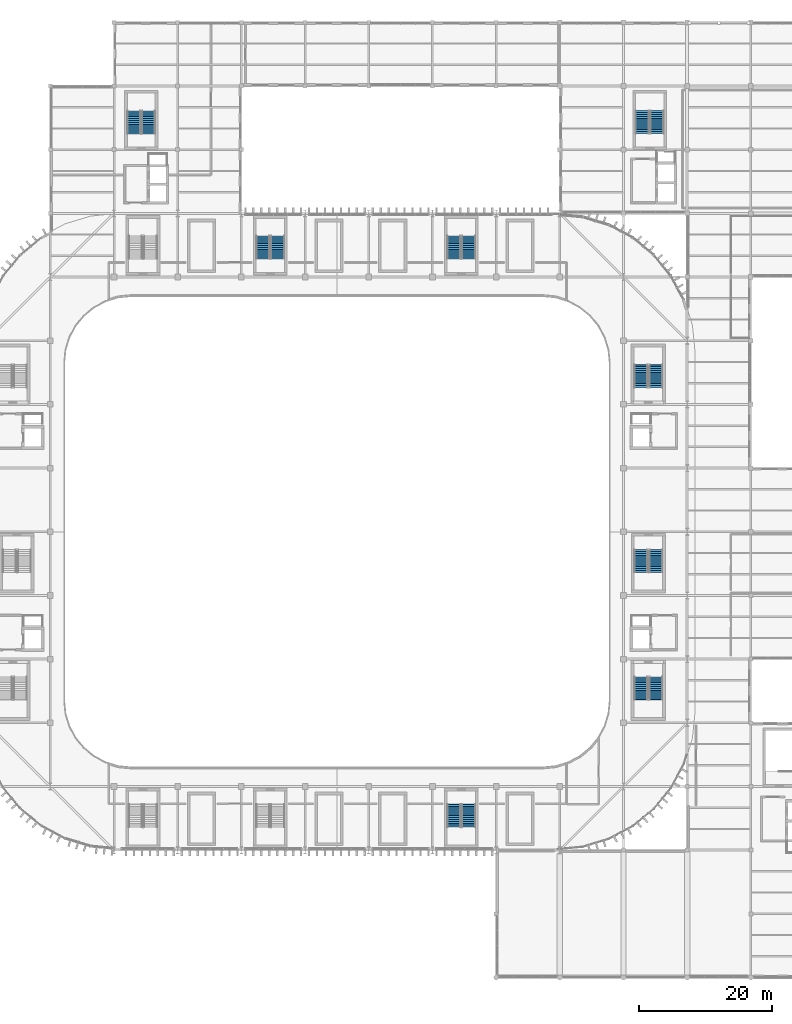
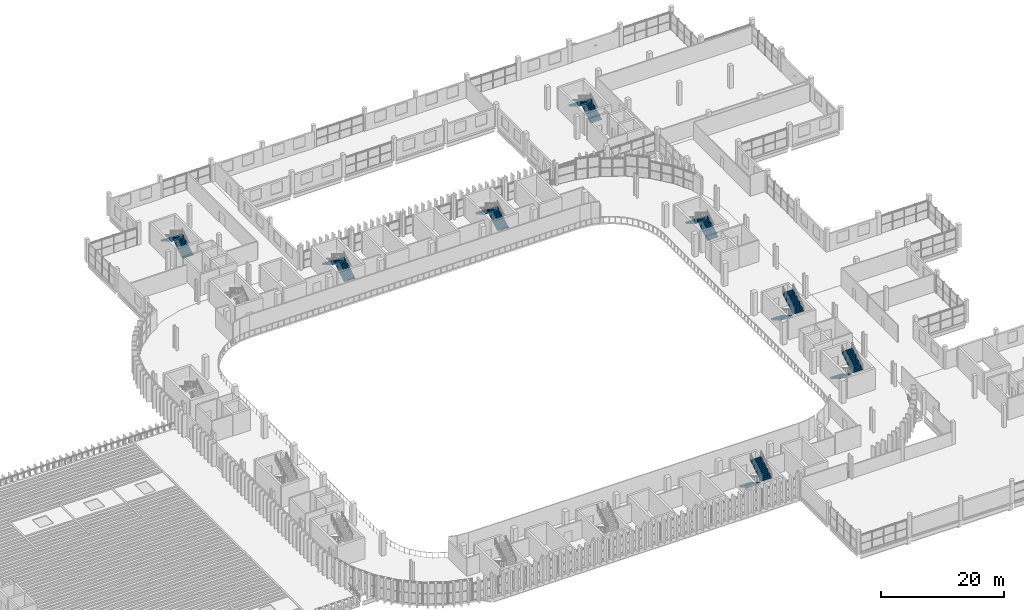
# One storey, part 66 of 92: 16 stair flights, 8 elements without a shape of their own.
"""IFC4 building model written with IfcOpenShell, lengths in metres."""

from ifc_helpers import new_model, si_unit, direction, frame, origin, place, context, subcontext, project, spatial, polyline, outline, extrude, material, type_object, element, aggregate, save


model = new_model("IFC4")

# Units and contexts
model_context = context("Model", 3, precision=1e-05, world=origin(), true_north=direction((0.0, 1.0)))
body_context = subcontext(model_context, "Body", "Model", "MODEL_VIEW")
ifc_project = project(units=[si_unit("LENGTHUNIT", "METRE"), si_unit("AREAUNIT", "SQUARE_METRE"), si_unit("VOLUMEUNIT", "CUBIC_METRE"), si_unit("PLANEANGLEUNIT", "RADIAN"), si_unit("MASSUNIT", "GRAM", prefix="KILO")], contexts=[model_context])

# Site, building, storey
site_placement = place(None, origin())
site = spatial("IfcSite", under=ifc_project, at=site_placement, CompositionType="ELEMENT")
building_placement = place(site_placement, origin())
building = spatial("IfcBuilding", under=site, at=building_placement, Name="Caelomonte Colonnade Arena", CompositionType="ELEMENT")
storey_placement = place(building_placement, frame((0.0, 0.0, 9.60009765625)))
storey = spatial("IfcBuildingStorey", under=building, at=storey_placement, Name="L02", CompositionType="ELEMENT", Elevation=9.60009765625)

# Stair, stair flights
ifc_material = material(Name="Concrete C40/50", Category="concrete")
stair_type_1 = type_object("IfcStairType", Name="INT-ST-CORE45", PredefinedType="HALF_TURN_STAIR", material=ifc_material)
stair_1_placement = place(storey_placement, origin())
stair_1 = element("IfcStair", 1, at=stair_1_placement, inside=storey, type_object=stair_type_1, Name="L02 Protected exit stair ST-10", PredefinedType="HALF_TURN_STAIR")
stair_flight_type_1 = type_object("IfcStairFlightType", Name="INT-SF-CORE45", PredefinedType="STRAIGHT", material=ifc_material)
stair_flight_1_placement = place(storey_placement, frame((156.22509765625, 64.5, 0.0), z_axis=(0.0, 0.0, 1.0), x_axis=(0.0, -1.0, 0.0)))
stair_flight_1 = element("IfcStairFlight", 2, at=stair_flight_1_placement, type_object=stair_flight_type_1, Name="ST-10 flight 1", NumberOfRisers=13, NumberOfTreads=12, PredefinedType="STRAIGHT", RiserHeight=0.173076923, TreadLength=0.285, context=body_context, shape_type="SweptSolid", body=[
    extrude(outline(polyline([(-0.02490234375, 0.0), (-0.02490234375, 0.103759765625), (0.0, 0.103759765625), (0.0, 0.173095703125), (0.284912109375, 0.173095703125), (0.284912109375, 0.34619140625), (0.570068359375, 0.34619140625), (0.570068359375, 0.519287109375), (0.85498046875, 0.519287109375), (0.85498046875, 0.6923828125), (1.139892578125, 0.6923828125), (1.139892578125, 0.865478515625), (1.425048828125, 0.865478515625), (1.425048828125, 1.03857421875), (1.7099609375, 1.03857421875), (1.7099609375, 1.21142578125), (1.9951171875, 1.21142578125), (1.9951171875, 1.384521484375), (2.280029296875, 1.384521484375), (2.280029296875, 1.5576171875), (2.56494140625, 1.5576171875), (2.56494140625, 1.730712890625), (2.85009765625, 1.730712890625), (2.85009765625, 1.90380859375), (3.135009765625, 1.90380859375), (3.135009765625, 2.076904296875), (3.419921875, 2.076904296875), (3.419921875, 2.25), (3.445068359375, 2.25), (3.445068359375, 1.901611328125), (0.288818359375, 0.0), (-0.02490234375, 0.0)])), frame((0.0, 1.02490234375, 0.0), z_axis=(0.0, -1.0, 0.0), x_axis=(1.0, 0.0, 0.0)), (0.0, 0.0, 1.0), 2.050048828125),
])
stair_flight_2_placement = place(storey_placement, frame((158.47509765625, 61.080078125, 2.25), z_axis=(0.0, 0.0, 1.0), x_axis=(0.0, 1.0, 0.0)))
stair_flight_2 = element("IfcStairFlight", 3, at=stair_flight_2_placement, type_object=stair_flight_type_1, Name="ST-10 flight 2", NumberOfRisers=13, NumberOfTreads=12, PredefinedType="STRAIGHT", RiserHeight=0.173076923, TreadLength=0.285, context=body_context, shape_type="SweptSolid", body=[
    extrude(outline(polyline([(-0.02490234375, 0.0), (-0.02490234375, 0.103759765625), (0.0, 0.103759765625), (0.0, 0.173095703125), (0.284912109375, 0.173095703125), (0.284912109375, 0.34619140625), (0.570068359375, 0.34619140625), (0.570068359375, 0.519287109375), (0.85498046875, 0.519287109375), (0.85498046875, 0.6923828125), (1.139892578125, 0.6923828125), (1.139892578125, 0.865478515625), (1.425048828125, 0.865478515625), (1.425048828125, 1.03857421875), (1.7099609375, 1.03857421875), (1.7099609375, 1.21142578125), (1.9951171875, 1.21142578125), (1.9951171875, 1.384521484375), (2.280029296875, 1.384521484375), (2.280029296875, 1.5576171875), (2.56494140625, 1.5576171875), (2.56494140625, 1.730712890625), (2.85009765625, 1.730712890625), (2.85009765625, 1.90380859375), (3.135009765625, 1.90380859375), (3.135009765625, 2.076904296875), (3.419921875, 2.076904296875), (3.419921875, 2.25), (3.445068359375, 2.25), (3.445068359375, 1.901611328125), (0.288818359375, 0.0), (-0.02490234375, 0.0)])), frame((0.0, 1.02490234375, 0.0), z_axis=(0.0, -1.0, 0.0), x_axis=(1.0, 0.0, 0.0)), (0.0, 0.0, 1.0), 2.050048828125),
])
aggregate(stair_1, [stair_flight_1, stair_flight_2])

stair_2_placement = place(storey_placement, origin())
stair_2 = element("IfcStair", 4, at=stair_2_placement, inside=storey, type_object=stair_type_1, Name="L02 Protected exit stair ST-13", PredefinedType="HALF_TURN_STAIR")
stair_flight_3_placement = place(storey_placement, frame((128.02490234375, 26.10009765625, 0.0), z_axis=(0.0, 0.0, 1.0), x_axis=(0.0, -1.0, 0.0)))
stair_flight_3 = element("IfcStairFlight", 5, at=stair_flight_3_placement, type_object=stair_flight_type_1, Name="ST-13 flight 1", NumberOfRisers=13, NumberOfTreads=12, PredefinedType="STRAIGHT", RiserHeight=0.173076923, TreadLength=0.285, context=body_context, shape_type="SweptSolid", body=[
    extrude(outline(polyline([(-0.02490234375, 0.0), (-0.02490234375, 0.103759765625), (0.0, 0.103759765625), (0.0, 0.173095703125), (0.284912109375, 0.173095703125), (0.284912109375, 0.34619140625), (0.570068359375, 0.34619140625), (0.570068359375, 0.519287109375), (0.85498046875, 0.519287109375), (0.85498046875, 0.6923828125), (1.139892578125, 0.6923828125), (1.139892578125, 0.865478515625), (1.425048828125, 0.865478515625), (1.425048828125, 1.03857421875), (1.7099609375, 1.03857421875), (1.7099609375, 1.21142578125), (1.9951171875, 1.21142578125), (1.9951171875, 1.384521484375), (2.280029296875, 1.384521484375), (2.280029296875, 1.5576171875), (2.56494140625, 1.5576171875), (2.56494140625, 1.730712890625), (2.85009765625, 1.730712890625), (2.85009765625, 1.90380859375), (3.135009765625, 1.90380859375), (3.135009765625, 2.076904296875), (3.419921875, 2.076904296875), (3.419921875, 2.25), (3.445068359375, 2.25), (3.445068359375, 1.901611328125), (0.288818359375, 0.0), (-0.02490234375, 0.0)])), frame((0.0, 1.02490234375, 0.0), z_axis=(0.0, -1.0, 0.0), x_axis=(1.0, 0.0, 0.0)), (0.0, 0.0, 1.0), 2.050048828125),
])
stair_flight_4_placement = place(storey_placement, frame((130.27490234375, 22.679931640625, 2.25), z_axis=(0.0, 0.0, 1.0), x_axis=(0.0, 1.0, 0.0)))
stair_flight_4 = element("IfcStairFlight", 6, at=stair_flight_4_placement, type_object=stair_flight_type_1, Name="ST-13 flight 2", NumberOfRisers=13, NumberOfTreads=12, PredefinedType="STRAIGHT", RiserHeight=0.173076923, TreadLength=0.285, context=body_context, shape_type="SweptSolid", body=[
    extrude(outline(polyline([(-0.02490234375, 0.0), (-0.02490234375, 0.103759765625), (0.0, 0.103759765625), (0.0, 0.173095703125), (0.284912109375, 0.173095703125), (0.284912109375, 0.34619140625), (0.570068359375, 0.34619140625), (0.570068359375, 0.519287109375), (0.85498046875, 0.519287109375), (0.85498046875, 0.6923828125), (1.139892578125, 0.6923828125), (1.139892578125, 0.865478515625), (1.425048828125, 0.865478515625), (1.425048828125, 1.03857421875), (1.7099609375, 1.03857421875), (1.7099609375, 1.21142578125), (1.9951171875, 1.21142578125), (1.9951171875, 1.384521484375), (2.280029296875, 1.384521484375), (2.280029296875, 1.5576171875), (2.56494140625, 1.5576171875), (2.56494140625, 1.730712890625), (2.85009765625, 1.730712890625), (2.85009765625, 1.90380859375), (3.135009765625, 1.90380859375), (3.135009765625, 2.076904296875), (3.419921875, 2.076904296875), (3.419921875, 2.25), (3.445068359375, 2.25), (3.445068359375, 1.901611328125), (0.288818359375, 0.0), (-0.02490234375, 0.0)])), frame((0.0, 1.02490234375, 0.0), z_axis=(0.0, -1.0, 0.0), x_axis=(1.0, 0.0, 0.0)), (0.0, 0.0, 1.0), 2.050048828125),
])
aggregate(stair_2, [stair_flight_3, stair_flight_4])

stair_3_placement = place(storey_placement, origin())
stair_3 = element("IfcStair", 7, at=stair_3_placement, inside=storey, type_object=stair_type_1, Name="L02 Protected exit stair ST-15", PredefinedType="HALF_TURN_STAIR")
stair_flight_5_placement = place(storey_placement, frame((101.47509765625, 108.35009765625, 0.0), z_axis=(0.0, 0.0, 1.0), x_axis=(0.0, 1.0, 0.0)))
stair_flight_5 = element("IfcStairFlight", 8, at=stair_flight_5_placement, type_object=stair_flight_type_1, Name="ST-15 flight 1", NumberOfRisers=13, NumberOfTreads=12, PredefinedType="STRAIGHT", RiserHeight=0.173076923, TreadLength=0.285, context=body_context, shape_type="SweptSolid", body=[
    extrude(outline(polyline([(-0.02490234375, 0.0), (-0.02490234375, 0.103759765625), (0.0, 0.103759765625), (0.0, 0.173095703125), (0.284912109375, 0.173095703125), (0.284912109375, 0.34619140625), (0.570068359375, 0.34619140625), (0.570068359375, 0.519287109375), (0.85498046875, 0.519287109375), (0.85498046875, 0.6923828125), (1.139892578125, 0.6923828125), (1.139892578125, 0.865478515625), (1.425048828125, 0.865478515625), (1.425048828125, 1.03857421875), (1.7099609375, 1.03857421875), (1.7099609375, 1.21142578125), (1.9951171875, 1.21142578125), (1.9951171875, 1.384521484375), (2.280029296875, 1.384521484375), (2.280029296875, 1.5576171875), (2.56494140625, 1.5576171875), (2.56494140625, 1.730712890625), (2.85009765625, 1.730712890625), (2.85009765625, 1.90380859375), (3.135009765625, 1.90380859375), (3.135009765625, 2.076904296875), (3.419921875, 2.076904296875), (3.419921875, 2.25), (3.445068359375, 2.25), (3.445068359375, 1.901611328125), (0.288818359375, 0.0), (-0.02490234375, 0.0)])), frame((0.0, 1.02490234375, 0.0), z_axis=(0.0, -1.0, 0.0), x_axis=(1.0, 0.0, 0.0)), (0.0, 0.0, 1.0), 2.050048828125),
])
stair_flight_6_placement = place(storey_placement, frame((99.22509765625, 111.77001953125, 2.25), z_axis=(0.0, 0.0, 1.0), x_axis=(0.0, -1.0, 0.0)))
stair_flight_6 = element("IfcStairFlight", 9, at=stair_flight_6_placement, type_object=stair_flight_type_1, Name="ST-15 flight 2", NumberOfRisers=13, NumberOfTreads=12, PredefinedType="STRAIGHT", RiserHeight=0.173076923, TreadLength=0.285, context=body_context, shape_type="SweptSolid", body=[
    extrude(outline(polyline([(-0.02490234375, 0.0), (-0.02490234375, 0.103759765625), (0.0, 0.103759765625), (0.0, 0.173095703125), (0.284912109375, 0.173095703125), (0.284912109375, 0.34619140625), (0.570068359375, 0.34619140625), (0.570068359375, 0.519287109375), (0.85498046875, 0.519287109375), (0.85498046875, 0.6923828125), (1.139892578125, 0.6923828125), (1.139892578125, 0.865478515625), (1.425048828125, 0.865478515625), (1.425048828125, 1.03857421875), (1.7099609375, 1.03857421875), (1.7099609375, 1.21142578125), (1.9951171875, 1.21142578125), (1.9951171875, 1.384521484375), (2.280029296875, 1.384521484375), (2.280029296875, 1.5576171875), (2.56494140625, 1.5576171875), (2.56494140625, 1.730712890625), (2.85009765625, 1.730712890625), (2.85009765625, 1.90380859375), (3.135009765625, 1.90380859375), (3.135009765625, 2.076904296875), (3.419921875, 2.076904296875), (3.419921875, 2.25), (3.445068359375, 2.25), (3.445068359375, 1.901611328125), (0.288818359375, 0.0), (-0.02490234375, 0.0)])), frame((0.0, 1.02490234375, 0.0), z_axis=(0.0, -1.0, 0.0), x_axis=(1.0, 0.0, 0.0)), (0.0, 0.0, 1.0), 2.050048828125),
])
aggregate(stair_3, [stair_flight_5, stair_flight_6])

stair_4_placement = place(storey_placement, origin())
stair_4 = element("IfcStair", 10, at=stair_4_placement, inside=storey, type_object=stair_type_1, Name="L02 Protected exit stair ST-16", PredefinedType="HALF_TURN_STAIR")
stair_flight_7_placement = place(storey_placement, frame((130.27490234375, 108.35009765625, 0.0), z_axis=(0.0, 0.0, 1.0), x_axis=(0.0, 1.0, 0.0)))
stair_flight_7 = element("IfcStairFlight", 11, at=stair_flight_7_placement, type_object=stair_flight_type_1, Name="ST-16 flight 1", NumberOfRisers=13, NumberOfTreads=12, PredefinedType="STRAIGHT", RiserHeight=0.173076923, TreadLength=0.285, context=body_context, shape_type="SweptSolid", body=[
    extrude(outline(polyline([(-0.02490234375, 0.0), (-0.02490234375, 0.103759765625), (0.0, 0.103759765625), (0.0, 0.173095703125), (0.284912109375, 0.173095703125), (0.284912109375, 0.34619140625), (0.570068359375, 0.34619140625), (0.570068359375, 0.519287109375), (0.85498046875, 0.519287109375), (0.85498046875, 0.6923828125), (1.139892578125, 0.6923828125), (1.139892578125, 0.865478515625), (1.425048828125, 0.865478515625), (1.425048828125, 1.03857421875), (1.7099609375, 1.03857421875), (1.7099609375, 1.21142578125), (1.9951171875, 1.21142578125), (1.9951171875, 1.384521484375), (2.280029296875, 1.384521484375), (2.280029296875, 1.5576171875), (2.56494140625, 1.5576171875), (2.56494140625, 1.730712890625), (2.85009765625, 1.730712890625), (2.85009765625, 1.90380859375), (3.135009765625, 1.90380859375), (3.135009765625, 2.076904296875), (3.419921875, 2.076904296875), (3.419921875, 2.25), (3.445068359375, 2.25), (3.445068359375, 1.901611328125), (0.288818359375, 0.0), (-0.02490234375, 0.0)])), frame((0.0, 1.02490234375, 0.0), z_axis=(0.0, -1.0, 0.0), x_axis=(1.0, 0.0, 0.0)), (0.0, 0.0, 1.0), 2.050048828125),
])
stair_flight_8_placement = place(storey_placement, frame((128.02490234375, 111.77001953125, 2.25), z_axis=(0.0, 0.0, 1.0), x_axis=(0.0, -1.0, 0.0)))
stair_flight_8 = element("IfcStairFlight", 12, at=stair_flight_8_placement, type_object=stair_flight_type_1, Name="ST-16 flight 2", NumberOfRisers=13, NumberOfTreads=12, PredefinedType="STRAIGHT", RiserHeight=0.173076923, TreadLength=0.285, context=body_context, shape_type="SweptSolid", body=[
    extrude(outline(polyline([(-0.02490234375, 0.0), (-0.02490234375, 0.103759765625), (0.0, 0.103759765625), (0.0, 0.173095703125), (0.284912109375, 0.173095703125), (0.284912109375, 0.34619140625), (0.570068359375, 0.34619140625), (0.570068359375, 0.519287109375), (0.85498046875, 0.519287109375), (0.85498046875, 0.6923828125), (1.139892578125, 0.6923828125), (1.139892578125, 0.865478515625), (1.425048828125, 0.865478515625), (1.425048828125, 1.03857421875), (1.7099609375, 1.03857421875), (1.7099609375, 1.21142578125), (1.9951171875, 1.21142578125), (1.9951171875, 1.384521484375), (2.280029296875, 1.384521484375), (2.280029296875, 1.5576171875), (2.56494140625, 1.5576171875), (2.56494140625, 1.730712890625), (2.85009765625, 1.730712890625), (2.85009765625, 1.90380859375), (3.135009765625, 1.90380859375), (3.135009765625, 2.076904296875), (3.419921875, 2.076904296875), (3.419921875, 2.25), (3.445068359375, 2.25), (3.445068359375, 1.901611328125), (0.288818359375, 0.0), (-0.02490234375, 0.0)])), frame((0.0, 1.02490234375, 0.0), z_axis=(0.0, -1.0, 0.0), x_axis=(1.0, 0.0, 0.0)), (0.0, 0.0, 1.0), 2.050048828125),
])
aggregate(stair_4, [stair_flight_7, stair_flight_8])

stair_type_2 = type_object("IfcStairType", Name="INT-ST-WING45", PredefinedType="HALF_TURN_STAIR", material=ifc_material)
stair_5_placement = place(storey_placement, origin())
stair_5 = element("IfcStair", 13, at=stair_5_placement, inside=storey, type_object=stair_type_2, Name="L02 Core C2 exit stair ST-02", PredefinedType="HALF_TURN_STAIR")
stair_flight_type_2 = type_object("IfcStairFlightType", Name="INT-SF-WING45", PredefinedType="STRAIGHT", material=ifc_material)
stair_flight_9_placement = place(storey_placement, frame((156.22509765625, 45.300048828125, 0.0), z_axis=(0.0, 0.0, 1.0), x_axis=(0.0, -1.0, 0.0)))
stair_flight_9 = element("IfcStairFlight", 14, at=stair_flight_9_placement, type_object=stair_flight_type_2, Name="ST-02 flight 1", NumberOfRisers=13, NumberOfTreads=12, PredefinedType="STRAIGHT", RiserHeight=0.173076923, TreadLength=0.285, context=body_context, shape_type="SweptSolid", body=[
    extrude(outline(polyline([(-0.02490234375, 0.0), (-0.02490234375, 0.103759765625), (0.0, 0.103759765625), (0.0, 0.173095703125), (0.284912109375, 0.173095703125), (0.284912109375, 0.34619140625), (0.570068359375, 0.34619140625), (0.570068359375, 0.519287109375), (0.85498046875, 0.519287109375), (0.85498046875, 0.6923828125), (1.139892578125, 0.6923828125), (1.139892578125, 0.865478515625), (1.425048828125, 0.865478515625), (1.425048828125, 1.03857421875), (1.7099609375, 1.03857421875), (1.7099609375, 1.21142578125), (1.9951171875, 1.21142578125), (1.9951171875, 1.384521484375), (2.280029296875, 1.384521484375), (2.280029296875, 1.5576171875), (2.56494140625, 1.5576171875), (2.56494140625, 1.730712890625), (2.85009765625, 1.730712890625), (2.85009765625, 1.90380859375), (3.135009765625, 1.90380859375), (3.135009765625, 2.076904296875), (3.419921875, 2.076904296875), (3.419921875, 2.25), (3.445068359375, 2.25), (3.445068359375, 1.901611328125), (0.288818359375, 0.0), (-0.02490234375, 0.0)])), frame((0.0, 1.02490234375, 0.0), z_axis=(0.0, -1.0, 0.0), x_axis=(1.0, 0.0, 0.0)), (0.0, 0.0, 1.0), 2.050048828125),
])
stair_flight_10_placement = place(storey_placement, frame((158.47509765625, 41.8798828125, 2.25), z_axis=(0.0, 0.0, 1.0), x_axis=(0.0, 1.0, 0.0)))
stair_flight_10 = element("IfcStairFlight", 15, at=stair_flight_10_placement, type_object=stair_flight_type_2, Name="ST-02 flight 2", NumberOfRisers=13, NumberOfTreads=12, PredefinedType="STRAIGHT", RiserHeight=0.173076923, TreadLength=0.285, context=body_context, shape_type="SweptSolid", body=[
    extrude(outline(polyline([(-0.02490234375, 0.0), (-0.02490234375, 0.103759765625), (0.0, 0.103759765625), (0.0, 0.173095703125), (0.284912109375, 0.173095703125), (0.284912109375, 0.34619140625), (0.570068359375, 0.34619140625), (0.570068359375, 0.519287109375), (0.85498046875, 0.519287109375), (0.85498046875, 0.6923828125), (1.139892578125, 0.6923828125), (1.139892578125, 0.865478515625), (1.425048828125, 0.865478515625), (1.425048828125, 1.03857421875), (1.7099609375, 1.03857421875), (1.7099609375, 1.21142578125), (1.9951171875, 1.21142578125), (1.9951171875, 1.384521484375), (2.280029296875, 1.384521484375), (2.280029296875, 1.5576171875), (2.56494140625, 1.5576171875), (2.56494140625, 1.730712890625), (2.85009765625, 1.730712890625), (2.85009765625, 1.90380859375), (3.135009765625, 1.90380859375), (3.135009765625, 2.076904296875), (3.419921875, 2.076904296875), (3.419921875, 2.25), (3.445068359375, 2.25), (3.445068359375, 1.901611328125), (0.288818359375, 0.0), (-0.02490234375, 0.0)])), frame((0.0, 1.02490234375, 0.0), z_axis=(0.0, -1.0, 0.0), x_axis=(1.0, 0.0, 0.0)), (0.0, 0.0, 1.0), 2.050048828125),
])
aggregate(stair_5, [stair_flight_9, stair_flight_10])

stair_6_placement = place(storey_placement, origin())
stair_6 = element("IfcStair", 16, at=stair_6_placement, inside=storey, type_object=stair_type_2, Name="L02 Core C3 exit stair ST-03", PredefinedType="HALF_TURN_STAIR")
stair_flight_11_placement = place(storey_placement, frame((158.47509765625, 88.949951171875, 0.0), z_axis=(0.0, 0.0, 1.0), x_axis=(0.0, 1.0, 0.0)))
stair_flight_11 = element("IfcStairFlight", 17, at=stair_flight_11_placement, type_object=stair_flight_type_2, Name="ST-03 flight 1", NumberOfRisers=13, NumberOfTreads=12, PredefinedType="STRAIGHT", RiserHeight=0.173076923, TreadLength=0.285, context=body_context, shape_type="SweptSolid", body=[
    extrude(outline(polyline([(-0.02490234375, 0.0), (-0.02490234375, 0.103759765625), (0.0, 0.103759765625), (0.0, 0.173095703125), (0.284912109375, 0.173095703125), (0.284912109375, 0.34619140625), (0.570068359375, 0.34619140625), (0.570068359375, 0.519287109375), (0.85498046875, 0.519287109375), (0.85498046875, 0.6923828125), (1.139892578125, 0.6923828125), (1.139892578125, 0.865478515625), (1.425048828125, 0.865478515625), (1.425048828125, 1.03857421875), (1.7099609375, 1.03857421875), (1.7099609375, 1.21142578125), (1.9951171875, 1.21142578125), (1.9951171875, 1.384521484375), (2.280029296875, 1.384521484375), (2.280029296875, 1.5576171875), (2.56494140625, 1.5576171875), (2.56494140625, 1.730712890625), (2.85009765625, 1.730712890625), (2.85009765625, 1.90380859375), (3.135009765625, 1.90380859375), (3.135009765625, 2.076904296875), (3.419921875, 2.076904296875), (3.419921875, 2.25), (3.445068359375, 2.25), (3.445068359375, 1.901611328125), (0.288818359375, 0.0), (-0.02490234375, 0.0)])), frame((0.0, 1.02490234375, 0.0), z_axis=(0.0, -1.0, 0.0), x_axis=(1.0, 0.0, 0.0)), (0.0, 0.0, 1.0), 2.050048828125),
])
stair_flight_12_placement = place(storey_placement, frame((156.22509765625, 92.3701171875, 2.25), z_axis=(0.0, 0.0, 1.0), x_axis=(0.0, -1.0, 0.0)))
stair_flight_12 = element("IfcStairFlight", 18, at=stair_flight_12_placement, type_object=stair_flight_type_2, Name="ST-03 flight 2", NumberOfRisers=13, NumberOfTreads=12, PredefinedType="STRAIGHT", RiserHeight=0.173076923, TreadLength=0.285, context=body_context, shape_type="SweptSolid", body=[
    extrude(outline(polyline([(-0.02490234375, 0.0), (-0.02490234375, 0.103759765625), (0.0, 0.103759765625), (0.0, 0.173095703125), (0.284912109375, 0.173095703125), (0.284912109375, 0.34619140625), (0.570068359375, 0.34619140625), (0.570068359375, 0.519287109375), (0.85498046875, 0.519287109375), (0.85498046875, 0.6923828125), (1.139892578125, 0.6923828125), (1.139892578125, 0.865478515625), (1.425048828125, 0.865478515625), (1.425048828125, 1.03857421875), (1.7099609375, 1.03857421875), (1.7099609375, 1.21142578125), (1.9951171875, 1.21142578125), (1.9951171875, 1.384521484375), (2.280029296875, 1.384521484375), (2.280029296875, 1.5576171875), (2.56494140625, 1.5576171875), (2.56494140625, 1.730712890625), (2.85009765625, 1.730712890625), (2.85009765625, 1.90380859375), (3.135009765625, 1.90380859375), (3.135009765625, 2.076904296875), (3.419921875, 2.076904296875), (3.419921875, 2.25), (3.445068359375, 2.25), (3.445068359375, 1.901611328125), (0.288818359375, 0.0), (-0.02490234375, 0.0)])), frame((0.0, 1.02490234375, 0.0), z_axis=(0.0, -1.0, 0.0), x_axis=(1.0, 0.0, 0.0)), (0.0, 0.0, 1.0), 2.050048828125),
])
aggregate(stair_6, [stair_flight_11, stair_flight_12])

stair_7_placement = place(storey_placement, origin())
stair_7 = element("IfcStair", 19, at=stair_7_placement, inside=storey, type_object=stair_type_2, Name="L02 Core C6 exit stair ST-06", PredefinedType="HALF_TURN_STAIR")
stair_flight_13_placement = place(storey_placement, frame((158.675048828125, 127.25, 0.0), z_axis=(0.0, 0.0, 1.0), x_axis=(0.0, 1.0, 0.0)))
stair_flight_13 = element("IfcStairFlight", 20, at=stair_flight_13_placement, type_object=stair_flight_type_2, Name="ST-06 flight 1", NumberOfRisers=13, NumberOfTreads=12, PredefinedType="STRAIGHT", RiserHeight=0.173076923, TreadLength=0.285, context=body_context, shape_type="SweptSolid", body=[
    extrude(outline(polyline([(-0.02490234375, 0.0), (-0.02490234375, 0.103759765625), (0.0, 0.103759765625), (0.0, 0.173095703125), (0.284912109375, 0.173095703125), (0.284912109375, 0.34619140625), (0.570068359375, 0.34619140625), (0.570068359375, 0.519287109375), (0.85498046875, 0.519287109375), (0.85498046875, 0.6923828125), (1.139892578125, 0.6923828125), (1.139892578125, 0.865478515625), (1.425048828125, 0.865478515625), (1.425048828125, 1.03857421875), (1.7099609375, 1.03857421875), (1.7099609375, 1.21142578125), (1.9951171875, 1.21142578125), (1.9951171875, 1.384521484375), (2.280029296875, 1.384521484375), (2.280029296875, 1.5576171875), (2.56494140625, 1.5576171875), (2.56494140625, 1.730712890625), (2.85009765625, 1.730712890625), (2.85009765625, 1.90380859375), (3.135009765625, 1.90380859375), (3.135009765625, 2.076904296875), (3.419921875, 2.076904296875), (3.419921875, 2.25), (3.445068359375, 2.25), (3.445068359375, 1.901611328125), (0.288818359375, 0.0), (-0.02490234375, 0.0)])), frame((0.0, 1.02490234375, 0.0), z_axis=(0.0, -1.0, 0.0), x_axis=(1.0, 0.0, 0.0)), (0.0, 0.0, 1.0), 2.050048828125),
])
stair_flight_14_placement = place(storey_placement, frame((156.425048828125, 130.669921875, 2.25), z_axis=(0.0, 0.0, 1.0), x_axis=(0.0, -1.0, 0.0)))
stair_flight_14 = element("IfcStairFlight", 21, at=stair_flight_14_placement, type_object=stair_flight_type_2, Name="ST-06 flight 2", NumberOfRisers=13, NumberOfTreads=12, PredefinedType="STRAIGHT", RiserHeight=0.173076923, TreadLength=0.285, context=body_context, shape_type="SweptSolid", body=[
    extrude(outline(polyline([(-0.02490234375, 0.0), (-0.02490234375, 0.103759765625), (0.0, 0.103759765625), (0.0, 0.173095703125), (0.284912109375, 0.173095703125), (0.284912109375, 0.34619140625), (0.570068359375, 0.34619140625), (0.570068359375, 0.519287109375), (0.85498046875, 0.519287109375), (0.85498046875, 0.6923828125), (1.139892578125, 0.6923828125), (1.139892578125, 0.865478515625), (1.425048828125, 0.865478515625), (1.425048828125, 1.03857421875), (1.7099609375, 1.03857421875), (1.7099609375, 1.21142578125), (1.9951171875, 1.21142578125), (1.9951171875, 1.384521484375), (2.280029296875, 1.384521484375), (2.280029296875, 1.5576171875), (2.56494140625, 1.5576171875), (2.56494140625, 1.730712890625), (2.85009765625, 1.730712890625), (2.85009765625, 1.90380859375), (3.135009765625, 1.90380859375), (3.135009765625, 2.076904296875), (3.419921875, 2.076904296875), (3.419921875, 2.25), (3.445068359375, 2.25), (3.445068359375, 1.901611328125), (0.288818359375, 0.0), (-0.02490234375, 0.0)])), frame((0.0, 1.02490234375, 0.0), z_axis=(0.0, -1.0, 0.0), x_axis=(1.0, 0.0, 0.0)), (0.0, 0.0, 1.0), 2.050048828125),
])
aggregate(stair_7, [stair_flight_13, stair_flight_14])

stair_8_placement = place(storey_placement, origin())
stair_8 = element("IfcStair", 22, at=stair_8_placement, inside=storey, type_object=stair_type_2, Name="L02 Core C7 exit stair ST-07", PredefinedType="HALF_TURN_STAIR")
stair_flight_15_placement = place(storey_placement, frame((82.0, 127.199951171875, 0.0), z_axis=(0.0, 0.0, 1.0), x_axis=(0.0, 1.0, 0.0)))
stair_flight_15 = element("IfcStairFlight", 23, at=stair_flight_15_placement, type_object=stair_flight_type_2, Name="ST-07 flight 1", NumberOfRisers=13, NumberOfTreads=12, PredefinedType="STRAIGHT", RiserHeight=0.173076923, TreadLength=0.285, context=body_context, shape_type="SweptSolid", body=[
    extrude(outline(polyline([(-0.02490234375, 0.0), (-0.02490234375, 0.103759765625), (0.0, 0.103759765625), (0.0, 0.173095703125), (0.284912109375, 0.173095703125), (0.284912109375, 0.34619140625), (0.570068359375, 0.34619140625), (0.570068359375, 0.519287109375), (0.85498046875, 0.519287109375), (0.85498046875, 0.6923828125), (1.139892578125, 0.6923828125), (1.139892578125, 0.865478515625), (1.425048828125, 0.865478515625), (1.425048828125, 1.03857421875), (1.7099609375, 1.03857421875), (1.7099609375, 1.21142578125), (1.9951171875, 1.21142578125), (1.9951171875, 1.384521484375), (2.280029296875, 1.384521484375), (2.280029296875, 1.5576171875), (2.56494140625, 1.5576171875), (2.56494140625, 1.730712890625), (2.85009765625, 1.730712890625), (2.85009765625, 1.90380859375), (3.135009765625, 1.90380859375), (3.135009765625, 2.076904296875), (3.419921875, 2.076904296875), (3.419921875, 2.25), (3.445068359375, 2.25), (3.445068359375, 1.901611328125), (0.288818359375, 0.0), (-0.02490234375, 0.0)])), frame((0.0, 1.0, 0.0), z_axis=(0.0, -1.0, 0.0), x_axis=(1.0, 0.0, 0.0)), (0.0, 0.0, 1.0), 2.0),
])
stair_flight_16_placement = place(storey_placement, frame((79.800048828125, 130.6201171875, 2.25), z_axis=(0.0, 0.0, 1.0), x_axis=(0.0, -1.0, 0.0)))
stair_flight_16 = element("IfcStairFlight", 24, at=stair_flight_16_placement, type_object=stair_flight_type_2, Name="ST-07 flight 2", NumberOfRisers=13, NumberOfTreads=12, PredefinedType="STRAIGHT", RiserHeight=0.173076923, TreadLength=0.285, context=body_context, shape_type="SweptSolid", body=[
    extrude(outline(polyline([(-0.02490234375, 0.0), (-0.02490234375, 0.103759765625), (0.0, 0.103759765625), (0.0, 0.173095703125), (0.284912109375, 0.173095703125), (0.284912109375, 0.34619140625), (0.570068359375, 0.34619140625), (0.570068359375, 0.519287109375), (0.85498046875, 0.519287109375), (0.85498046875, 0.6923828125), (1.139892578125, 0.6923828125), (1.139892578125, 0.865478515625), (1.425048828125, 0.865478515625), (1.425048828125, 1.03857421875), (1.7099609375, 1.03857421875), (1.7099609375, 1.21142578125), (1.9951171875, 1.21142578125), (1.9951171875, 1.384521484375), (2.280029296875, 1.384521484375), (2.280029296875, 1.5576171875), (2.56494140625, 1.5576171875), (2.56494140625, 1.730712890625), (2.85009765625, 1.730712890625), (2.85009765625, 1.90380859375), (3.135009765625, 1.90380859375), (3.135009765625, 2.076904296875), (3.419921875, 2.076904296875), (3.419921875, 2.25), (3.445068359375, 2.25), (3.445068359375, 1.901611328125), (0.288818359375, 0.0), (-0.02490234375, 0.0)])), frame((0.0, 1.0, 0.0), z_axis=(0.0, -1.0, 0.0), x_axis=(1.0, 0.0, 0.0)), (0.0, 0.0, 1.0), 2.0),
])
aggregate(stair_8, [stair_flight_15, stair_flight_16])

save(model, "model.ifc")
